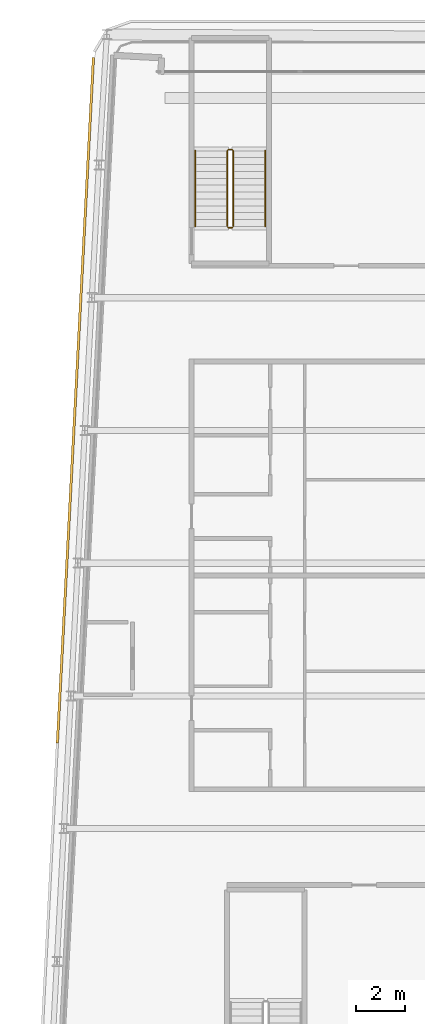
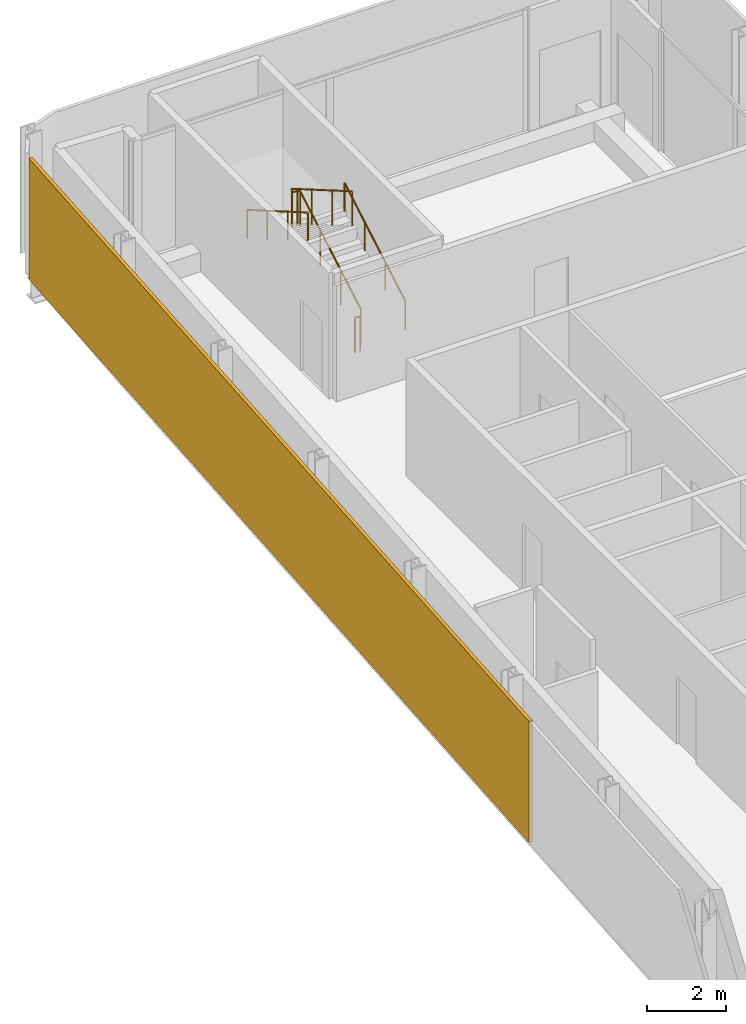
# One storey, part 20 of 21: 4 railings, 1 shading device.
"""IFC4 building model written with IfcOpenShell, lengths in metres."""

from ifc_helpers import new_model, si_unit, direction, frame, origin, origin_2d, place, context, subcontext, project, spatial, rectangle, circle, extrude, material, layer, layer_set, type_object, element, save


model = new_model("IFC4")

# Units and contexts
model_context = context("Model", 3, precision=1e-05, world=origin(), true_north=direction((0.0, 1.0)))
body_context = subcontext(model_context, "Body", "Model", "MODEL_VIEW")
ifc_project = project(units=[si_unit("LENGTHUNIT", "METRE"), si_unit("AREAUNIT", "SQUARE_METRE"), si_unit("VOLUMEUNIT", "CUBIC_METRE"), si_unit("PLANEANGLEUNIT", "RADIAN"), si_unit("MASSUNIT", "GRAM", prefix="KILO")], contexts=[model_context])

# Site, building, storey
site_placement = place(None, origin())
site = spatial("IfcSite", under=ifc_project, at=site_placement, CompositionType="ELEMENT")
building_placement = place(site_placement, origin())
building = spatial("IfcBuilding", under=site, at=building_placement, Name="Kheshtan School and Residences Tower", CompositionType="ELEMENT")
storey_placement = place(building_placement, frame((0.0, 0.0, 220.10009765625)))
storey = spatial("IfcBuildingStorey", under=building, at=storey_placement, Name="L51", CompositionType="ELEMENT", Elevation=220.10009765625)

# Shading device
ifc_material_1 = material(Name="Terracotta baguette, extruded ceramic", Category="masonry")
ifc_layer = layer(ifc_material_1, 0.10009765625)
ifc_layer_set = layer_set([ifc_layer], Name="Ledge screen, terracotta baguettes")
shading_device_type = type_object("IfcShadingDeviceType", Name="Ledge screen, terracotta baguettes", PredefinedType="USERDEFINED", material=ifc_layer_set)
shading_device_placement = place(storey_placement, frame((28.572998046875, 73.833984375, 0.0), z_axis=(0.0, 0.0, 1.0), x_axis=(0.052562536748, 0.998617634398, 0.0)))
element("IfcShadingDevice", 1, at=shading_device_placement, inside=storey, type_object=shading_device_type, Name="Screen L51 5", ObjectType="BAGUETTE", PredefinedType="USERDEFINED", context=body_context, shape_type="SweptSolid", body=[
    extrude(rectangle(XDim=27.93408203125, YDim=0.10009765625, at=origin_2d()), origin(), (0.0, 0.0, 1.0), 3.75),
])

# Railings
ifc_material_2 = material(Name="Stainless steel balustrade", Category="steel")
railing_type_1 = type_object("IfcRailingType", Name="Stair guard 1100", PredefinedType="GUARDRAIL", material=ifc_material_2)
railing_1_placement = place(storey_placement, frame((35.0, 80.89990234375, 0.162353515625)))
element("IfcRailing", 2, at=railing_1_placement, inside=storey, type_object=railing_type_1, Name="L51 ST3 stair guard 1", PredefinedType="GUARDRAIL", context=body_context, shape_type="SweptSolid", body=[
    extrude(circle(Radius=0.02392578125, at=origin_2d()), frame((0.0, 0.0, 1.076171875), z_axis=(0.0, 0.864890721111, 0.501960198159), x_axis=(-1.0, 0.0, 0.0)), (0.0, 0.0, 1.0), 3.561279296875),
    extrude(circle(Radius=0.02392578125, at=origin_2d()), frame((0.0, 3.080078125, 2.86376953125), z_axis=(-0.707106781187, 0.707106781187, 0.0), x_axis=(-0.707106781187, -0.707106781187, 0.0)), (0.0, 0.0, 1.0), 0.07080078125),
    extrude(circle(Radius=0.02392578125, at=origin_2d()), frame((-0.050048828125, 3.130126953125, 2.86376953125), z_axis=(-1.0, 0.0, 0.0), x_axis=(0.0, -1.0, 0.0)), (0.0, 0.0, 1.0), 0.14990234375),
    extrude(circle(Radius=0.02392578125, at=origin_2d()), frame((-0.199951171875, 3.130126953125, 2.86376953125), z_axis=(-0.282583949758, -0.282583949758, 0.916674763849), x_axis=(0.707106781187, -0.707106781187, 0.0)), (0.0, 0.0, 1.0), 0.177001953125),
    extrude(circle(Radius=0.02392578125, at=origin_2d()), frame((-0.25, 3.080078125, 3.02587890625), z_axis=(0.0, -0.864890721111, 0.501960198159), x_axis=(1.0, 0.0, 0.0)), (0.0, 0.0, 1.0), 3.561279296875),
    extrude(circle(Radius=0.02099609375, at=origin_2d()), origin(), (0.0, 0.0, 1.0), 1.052001953125),
    extrude(circle(Radius=0.02099609375, at=origin_2d()), frame((0.0, 1.026611328125, 0.595947265625)), (0.0, 0.0, 1.0), 1.052001953125),
    extrude(circle(Radius=0.02099609375, at=origin_2d()), frame((0.0, 2.053466796875, 1.191650390625)), (0.0, 0.0, 1.0), 1.052001953125),
    extrude(circle(Radius=0.02099609375, at=origin_2d()), frame((0.0, 3.080078125, 1.78759765625)), (0.0, 0.0, 1.0), 1.052001953125),
    extrude(circle(Radius=0.02099609375, at=origin_2d()), frame((-0.050048828125, 3.130126953125, 1.78759765625)), (0.0, 0.0, 1.0), 1.052001953125),
    extrude(circle(Radius=0.02099609375, at=origin_2d()), frame((-0.199951171875, 3.130126953125, 1.78759765625)), (0.0, 0.0, 1.0), 1.052001953125),
    extrude(circle(Radius=0.02099609375, at=origin_2d()), frame((-0.25, 3.080078125, 1.949951171875)), (0.0, 0.0, 1.0), 1.052001953125),
    extrude(circle(Radius=0.02099609375, at=origin_2d()), frame((-0.25, 2.053466796875, 2.5458984375)), (0.0, 0.0, 1.0), 1.052001953125),
    extrude(circle(Radius=0.02099609375, at=origin_2d()), frame((-0.25, 1.026611328125, 3.1416015625)), (0.0, 0.0, 1.0), 1.052001953125),
    extrude(circle(Radius=0.02099609375, at=origin_2d()), frame((-0.25, 0.0, 3.737548828125)), (0.0, 0.0, 1.0), 1.052001953125),
])
railing_2_placement = place(storey_placement, frame((34.949951171875, 80.85009765625, 0.0)))
element("IfcRailing", 3, at=railing_2_placement, inside=storey, type_object=railing_type_1, Name="L51 ST3 stair guard 2", PredefinedType="GUARDRAIL", context=body_context, shape_type="SweptSolid", body=[
    extrude(circle(Radius=0.02392578125, at=origin_2d()), frame((0.0, 0.0, 1.076171875), z_axis=(-1.0, 0.0, 0.0), x_axis=(0.0, -1.0, 0.0)), (0.0, 0.0, 1.0), 0.14990234375),
    extrude(circle(Radius=0.02099609375, at=origin_2d()), origin(), (0.0, 0.0, 1.0), 1.052001953125),
    extrude(circle(Radius=0.02099609375, at=origin_2d()), frame((-0.14990234375, 0.0, 0.0)), (0.0, 0.0, 1.0), 1.052001953125),
])
ifc_material_3 = material(Name="Stainless steel handrail", Category="steel")
railing_type_2 = type_object("IfcRailingType", Name="Stair handrail 900", PredefinedType="HANDRAIL", material=ifc_material_3)
railing_3_placement = place(storey_placement, frame((36.300048828125, 80.89990234375, 0.162353515625)))
element("IfcRailing", 4, at=railing_3_placement, inside=storey, type_object=railing_type_2, Name="L51 ST3 stair handrail 1", PredefinedType="HANDRAIL", context=body_context, shape_type="SweptSolid", body=[
    extrude(circle(Radius=0.02392578125, at=origin_2d()), frame((0.0, 0.0, 0.8759765625), z_axis=(0.0, 0.864890721111, 0.501960198159), x_axis=(-1.0, 0.0, 0.0)), (0.0, 0.0, 1.0), 3.561279296875),
    extrude(circle(Radius=0.02099609375, at=origin_2d()), origin(), (0.0, 0.0, 1.0), 0.851806640625),
    extrude(circle(Radius=0.02099609375, at=origin_2d()), frame((0.0, 1.026611328125, 0.595947265625)), (0.0, 0.0, 1.0), 0.851806640625),
    extrude(circle(Radius=0.02099609375, at=origin_2d()), frame((0.0, 2.053466796875, 1.191650390625)), (0.0, 0.0, 1.0), 0.851806640625),
    extrude(circle(Radius=0.02099609375, at=origin_2d()), frame((0.0, 3.080078125, 1.78759765625)), (0.0, 0.0, 1.0), 0.851806640625),
])
railing_4_placement = place(storey_placement, frame((33.449951171875, 83.97998046875, 2.1123046875)))
element("IfcRailing", 5, at=railing_4_placement, inside=storey, type_object=railing_type_2, Name="L51 ST3 stair handrail 2", PredefinedType="HANDRAIL", context=body_context, shape_type="SweptSolid", body=[
    extrude(circle(Radius=0.02392578125, at=origin_2d()), frame((0.0, 0.0, 0.8759765625), z_axis=(0.0, -0.864890721111, 0.501960198159), x_axis=(1.0, 0.0, 0.0)), (0.0, 0.0, 1.0), 3.561279296875),
    extrude(circle(Radius=0.02099609375, at=origin_2d()), origin(), (0.0, 0.0, 1.0), 0.851806640625),
    extrude(circle(Radius=0.02099609375, at=origin_2d()), frame((0.0, -1.026611328125, 0.595947265625)), (0.0, 0.0, 1.0), 0.851806640625),
    extrude(circle(Radius=0.02099609375, at=origin_2d()), frame((0.0, -2.053466796875, 1.191650390625)), (0.0, 0.0, 1.0), 0.851806640625),
    extrude(circle(Radius=0.02099609375, at=origin_2d()), frame((0.0, -3.080078125, 1.78759765625)), (0.0, 0.0, 1.0), 0.851806640625),
])

save(model, "model.ifc")
